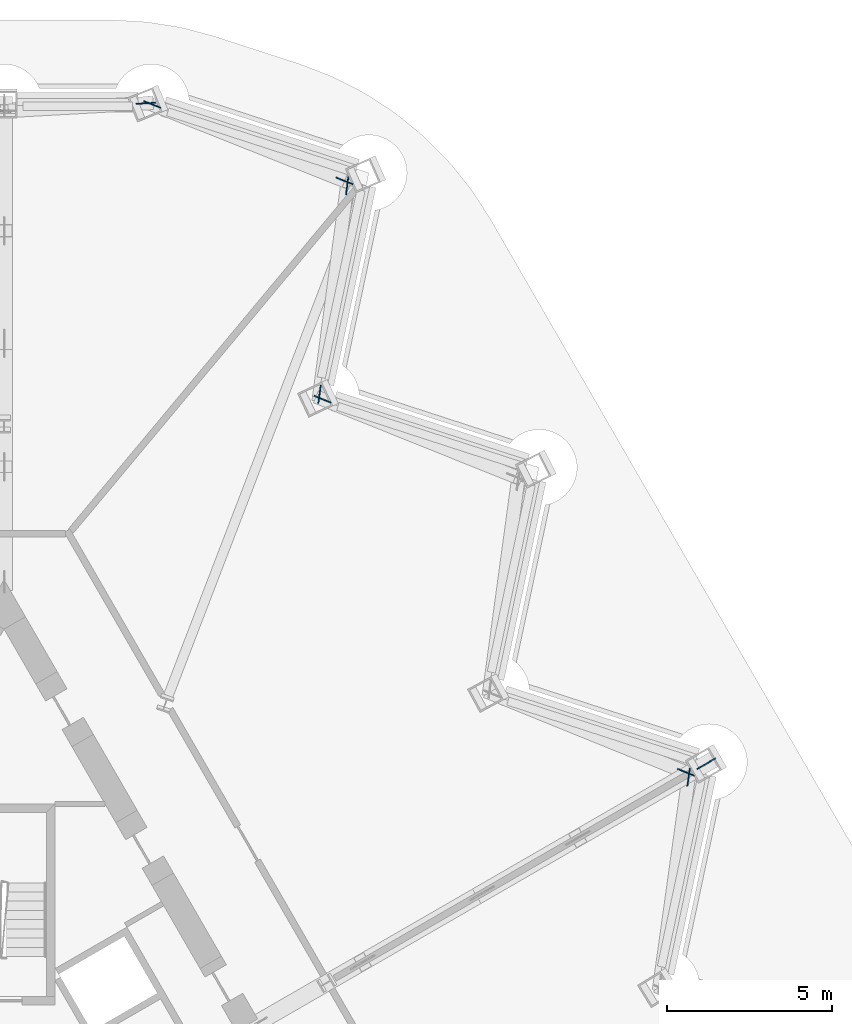
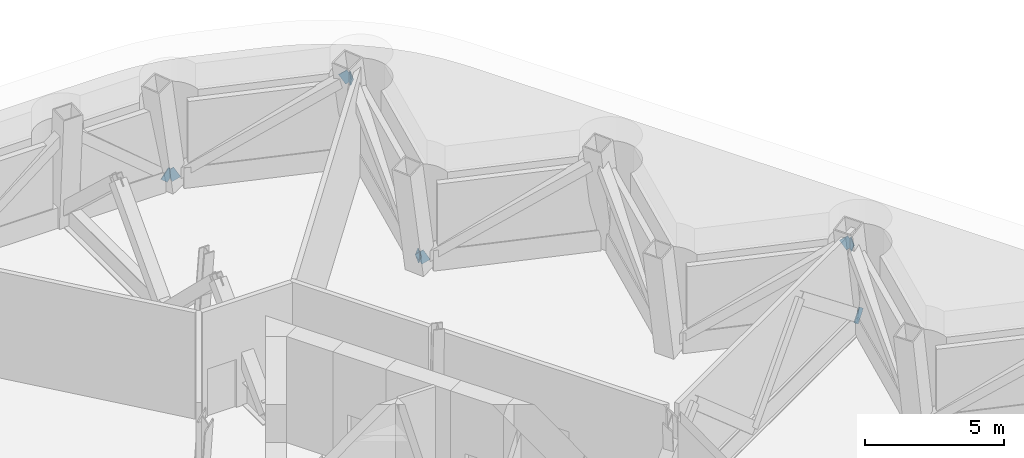
# One storey, part 11 of 13: 9 discrete accessories.
"""IFC4 building model written with IfcOpenShell, lengths in metres."""

import ifcopenshell
import ifcopenshell.guid

model = None  # the IFC model being written
_history = None  # IfcOwnerHistory: only IFC2X3 demands one
_inside = {}  # id of a spatial element -> (the spatial element, [elements in it])
_under = {}  # id of a project, library or spatial element -> (it, [spatial elements below it])
_declared = {}  # id of a project -> (the project, [libraries it declares])
_typed = {}  # id of a type object -> (the type object, [elements of that type])
_made_of = {}  # id of a material, layer set ... -> (it, [elements and type objects made of it])


def new_model(schema):
    """Start an empty IFC model of exactly this schema.

    Asked for "IFC4X3", IfcOpenShell would pick the latest addendum, in which some entities
    have other attributes; the version numbers below select the first issue.
    IFC2X3 requires an IfcOwnerHistory on every rooted entity: one is made here for all.
    """
    global model, _history
    if schema == "IFC4X3":
        model = ifcopenshell.file(schema_version=(4, 3, 0, 0))
    else:
        model = ifcopenshell.file(schema=schema)
    _inside.clear()
    _under.clear()
    _declared.clear()
    _typed.clear()
    _made_of.clear()
    _history = None
    if model.schema == "IFC2X3":
        org = make("IfcOrganization", Name="unknown")
        user = make(
            "IfcPersonAndOrganization",
            ThePerson=make("IfcPerson", FamilyName="unknown"),
            TheOrganization=org,
        )
        app = make(
            "IfcApplication",
            ApplicationDeveloper=org,
            Version="unknown",
            ApplicationFullName="unknown",
            ApplicationIdentifier="unknown",
        )
        _history = make(
            "IfcOwnerHistory",
            OwningUser=user,
            OwningApplication=app,
            ChangeAction="ADDED",
            CreationDate=0,
        )
    return model


def make(cls, **values):
    """One entity of the class cls with the attributes given. An attribute that is None is left unset."""
    return model.create_entity(
        cls, **{name: value for name, value in values.items() if value is not None}
    )


def rooted(cls, **values):
    """An entity with a GlobalId (a new one), such as an element, a storey or a relation."""
    return make(cls, GlobalId=ifcopenshell.guid.new(), OwnerHistory=_history, **values)


def si_unit(unit_type, name, prefix=None):
    """IfcSIUnit, for example si_unit("LENGTHUNIT", "METRE", prefix="MILLI")."""
    return make("IfcSIUnit", UnitType=unit_type, Prefix=prefix, Name=name)


def assignment(units):
    """IfcUnitAssignment: the units of a project."""
    return None if units is None else make("IfcUnitAssignment", Units=units)


def point(xyz):
    """IfcCartesianPoint."""
    return None if xyz is None else make("IfcCartesianPoint", Coordinates=xyz)


def direction(xyz):
    """IfcDirection."""
    return None if xyz is None else make("IfcDirection", DirectionRatios=xyz)


def frame(location, z_axis=None, x_axis=None):
    """IfcAxis2Placement3D, a coordinate frame: its origin and axes. An axis left out is left unset."""
    return make(
        "IfcAxis2Placement3D",
        Location=point(location),
        Axis=direction(z_axis),
        RefDirection=direction(x_axis),
    )


def frame_2d(location, x_axis=None):
    """IfcAxis2Placement2D, a coordinate frame in the plane: its origin and x axis."""
    return make(
        "IfcAxis2Placement2D", Location=point(location), RefDirection=direction(x_axis)
    )


def origin():
    """The frame at (0, 0, 0) with its axes left unset."""
    return frame((0.0, 0.0, 0.0))


def origin_2d():
    """The frame at (0, 0) in the plane with its x axis left unset."""
    return frame_2d((0.0, 0.0))


def place(relative_to, where):
    """IfcLocalPlacement: puts the frame where relative to a parent placement (None: the world)."""
    return make(
        "IfcLocalPlacement", PlacementRelTo=relative_to, RelativePlacement=where
    )


def context(
    kind, dimensions, precision=None, world=None, true_north=None, identifier=None
):
    """IfcGeometricRepresentationContext, for example the 3D "Model" context."""
    return make(
        "IfcGeometricRepresentationContext",
        ContextIdentifier=identifier,
        ContextType=kind,
        CoordinateSpaceDimension=dimensions,
        Precision=precision,
        WorldCoordinateSystem=world,
        TrueNorth=true_north,
    )


def subcontext(parent, identifier, kind, view, scale=None):
    """IfcGeometricRepresentationSubContext, for example "Body" below "Model"."""
    return make(
        "IfcGeometricRepresentationSubContext",
        ContextIdentifier=identifier,
        ContextType=kind,
        ParentContext=parent,
        TargetScale=scale,
        TargetView=view,
    )


def project(units=None, contexts=None):
    """IfcProject with its units and contexts."""
    return rooted(
        "IfcProject",
        Name="project",
        RepresentationContexts=contexts,
        UnitsInContext=assignment(units),
    )


def spatial(cls, under=None, at=None, **own):
    """A site, building, storey or space (cls), placed at a placement, below another one or the project."""
    s = rooted(cls, ObjectPlacement=at, **own)
    if under is not None:
        _under.setdefault(under.id(), (under, []))[1].append(s)
    return s


def profile(cls, at=None, kind="AREA", **sizes):
    """A parametric profile (cls). Its sizes go by their IFC names, for example OverallWidth=200.0."""
    return make(cls, ProfileType=kind, Position=at, **sizes)


def rectangle(**sizes):
    """IfcRectangleProfileDef."""
    return profile("IfcRectangleProfileDef", **sizes)


def extrude(swept, where, along, depth):
    """IfcExtrudedAreaSolid: the profile swept, set in the frame where, extruded along a direction by depth."""
    return make(
        "IfcExtrudedAreaSolid",
        SweptArea=swept,
        Position=where,
        ExtrudedDirection=direction(along),
        Depth=depth,
    )


def shape(context_of_items, identifier, shape_type, items):
    """IfcShapeRepresentation: the items that make up one representation, for example the "Body"."""
    return make(
        "IfcShapeRepresentation",
        ContextOfItems=context_of_items,
        RepresentationIdentifier=identifier,
        RepresentationType=shape_type,
        Items=items,
    )


def material(Name=None, Category=None):
    """IfcMaterial."""
    return make("IfcMaterial", Name=Name, Category=Category)


def material_profile(
    of_material, cross_section, Name=None, Category=None, Priority=None
):
    """IfcMaterialProfile: a cross section and its material."""
    return make(
        "IfcMaterialProfile",
        Name=Name,
        Material=of_material,
        Profile=cross_section,
        Priority=Priority,
        Category=Category,
    )


def profile_set(profiles, Name=None, composite=None):
    """IfcMaterialProfileSet."""
    return make(
        "IfcMaterialProfileSet",
        Name=Name,
        MaterialProfiles=profiles,
        CompositeProfile=composite,
    )


def made_of(thing, what):
    """Note that an element or type object is made of a material, layer set ...; save() writes the relation."""
    if what is not None:
        _made_of.setdefault(what.id(), (what, []))[1].append(thing)
    return thing


def type_object(cls, material=None, **own):
    """A type object (cls), such as IfcWallType, which elements share."""
    return made_of(rooted(cls, **own), material)


def element(
    cls,
    number,
    at=None,
    inside=None,
    cuts=None,
    type_object=None,
    material=None,
    context=None,
    identifier="Body",
    shape_type=None,
    held_by="IfcProductDefinitionShape",
    body=None,
    shapes=None,
    **own,
):
    """One element of the class cls, such as IfcWall. Its Tag is "e" and its number.

    at: its placement. inside: the storey or other place that contains it. cuts: it is an
    opening in that element (IfcRelVoidsElement). A single representation is given by context,
    identifier, shape_type and body (its items); several are given by shapes. held_by: the class
    of the entity that holds the representations. save() writes the other relations.
    """
    e = rooted(cls, Tag="e%d" % number, ObjectPlacement=at, **own)
    if body is not None:
        shapes = [shape(context, identifier, shape_type, body)]
    if shapes is not None:
        e.Representation = make(held_by, Representations=shapes)
    if inside is not None:
        _inside.setdefault(inside.id(), (inside, []))[1].append(e)
    if cuts is not None:
        rooted(
            "IfcRelVoidsElement", RelatingBuildingElement=cuts, RelatedOpeningElement=e
        )
    if type_object is not None:
        _typed.setdefault(type_object.id(), (type_object, []))[1].append(e)
    return made_of(e, material)


def aggregate(whole, parts):
    """IfcRelAggregates: a whole, such as a stair, and the parts it consists of."""
    return rooted("IfcRelAggregates", RelatingObject=whole, RelatedObjects=parts)


def save(model, path):
    """Write the relations noted so far, then the file.

    IfcRelAggregates (storeys below a building ...), IfcRelContainedInSpatialStructure (elements
    in a storey), IfcRelDefinesByType, IfcRelAssociatesMaterial and IfcRelDeclares: one each for
    every whole, place, type object, material and project.
    """
    for whole, parts in _under.values():
        aggregate(whole, parts)
    for where, things in _inside.values():
        rooted(
            "IfcRelContainedInSpatialStructure",
            RelatedElements=things,
            RelatingStructure=where,
        )
    for kind, things in _typed.values():
        rooted("IfcRelDefinesByType", RelatedObjects=things, RelatingType=kind)
    for what, things in _made_of.values():
        rooted("IfcRelAssociatesMaterial", RelatedObjects=things, RelatingMaterial=what)
    for by, libraries in _declared.values():
        rooted("IfcRelDeclares", RelatingContext=by, RelatedDefinitions=libraries)
    model.write(path)


model = new_model("IFC4")

# Units and contexts
model_context = context("Model", 3, precision=1e-05, world=origin(), true_north=direction((0.0, 1.0)))
body_context = subcontext(model_context, "Body", "Model", "MODEL_VIEW")
ifc_project = project(units=[si_unit("LENGTHUNIT", "METRE"), si_unit("AREAUNIT", "SQUARE_METRE"), si_unit("VOLUMEUNIT", "CUBIC_METRE"), si_unit("PLANEANGLEUNIT", "RADIAN"), si_unit("MASSUNIT", "GRAM", prefix="KILO")], contexts=[model_context])

# Site, building, storey
site_placement = place(None, origin())
site = spatial("IfcSite", under=ifc_project, at=site_placement, CompositionType="ELEMENT")
building_placement = place(site_placement, origin())
building = spatial("IfcBuilding", under=site, at=building_placement, Name="Cormorant Prow Tower", CompositionType="ELEMENT")
storey_placement = place(building_placement, frame((0.0, 0.0, 226.0)))
storey = spatial("IfcBuildingStorey", under=building, at=storey_placement, Name="L49", CompositionType="ELEMENT", Elevation=226.0)

# Discrete accessories
ifc_material_1 = material(Name="Structural steel ASTM A500 Gr C", Category="steel")
ifc_material_profile_1 = material_profile(ifc_material_1, rectangle(XDim=0.031982421875, YDim=0.506103515625, at=origin_2d()), Name="Gusset plate 32x506")
ifc_profile_set_1 = profile_set([ifc_material_profile_1], Name="Structural steel ASTM A500 Gr C")
discrete_accessory_type_1 = type_object("IfcDiscreteAccessoryType", Name="Gusset plate 32x506", PredefinedType="BRACKET", material=ifc_profile_set_1)
discrete_accessory_1_placement = place(storey_placement, frame((20.766357421875, 11.75244140625, 4.051025390625), z_axis=(0.120002699929, 0.859554222746, 0.496755362496), x_axis=(-0.990394657422, 0.138269383991, 0.0)))
element("IfcDiscreteAccessory", 1, at=discrete_accessory_1_placement, inside=storey, type_object=discrete_accessory_type_1, Name="Gusset plate GP2 L49.ENE04.g1", PredefinedType="BRACKET", context=body_context, shape_type="SweptSolid", body=[
    extrude(rectangle(XDim=0.031982421875, YDim=0.506103515625, at=origin_2d()), origin(), (0.0, 0.0, 1.0), 0.349853515625),
])
for number, where, z_axis, x_axis, name in (
    (2, (20.56103515625, 12.108154296875, 4.051025390625), (0.804236095518, -0.326437547877, 0.496631483095), (0.376096804868, 0.926580376097, 0.0), "Gusset plate GP2 L49.ENE05.g1"),
    (3, (9.806640625, 23.323974609375, 0.599609375), (-0.80430927561, 0.322979353519, -0.498769412022), (-0.372639224354, -0.927976297366, 0.0), "Gusset plate GP2 L49.ENE07.g0"),
    (4, (9.599609375, 23.6796875, 0.59814453125), (-0.114379317865, -0.862029493179, -0.493783884442), (0.991311755983, -0.131533275066, 0.0), "Gusset plate GP2 L49.ENE08.g0"),
):
    element("IfcDiscreteAccessory", number, at=place(storey_placement, frame(where, z_axis=z_axis, x_axis=x_axis)), inside=storey, type_object=discrete_accessory_type_1, Name=name, PredefinedType="BRACKET", context=body_context, shape_type="SweptSolid", body=[
        extrude(rectangle(XDim=0.031982421875, YDim=0.506103515625, at=origin_2d()), origin(), (0.0, 0.0, 1.0), 0.35009765625),
    ])
discrete_accessory_2_placement = place(storey_placement, frame((10.399169921875, 29.711181640625, 4.052001953125), z_axis=(0.114418700567, 0.862326304276, 0.493256227446), x_axis=(-0.991311755983, 0.131533275066, 0.0)))
element("IfcDiscreteAccessory", 5, at=discrete_accessory_2_placement, inside=storey, type_object=discrete_accessory_type_1, Name="Gusset plate GP2 L49.ENE08.g1", PredefinedType="BRACKET", context=body_context, shape_type="SweptSolid", body=[
    extrude(rectangle(XDim=0.031982421875, YDim=0.506103515625, at=origin_2d()), origin(), (0.0, 0.0, 1.0), 0.349853515625),
])
for number, where, z_axis, x_axis, name in (
    (6, (4.639892578125, 32.274169921875, 0.60009765625), (-0.804716544339, 0.320073564863, -0.499984196093), (-0.369585223823, -0.929196837237, 0.0), "Gusset plate GP2 L49.ENE09.g0"),
    (7, (10.19189453125, 30.06591796875, 4.050048828125), (0.804716544339, -0.320073564863, 0.499984196093), (0.369585223823, 0.929196837237, 0.0), "Gusset plate GP2 L49.ENE09.g1"),
    (8, (4.17041015625, 32.357421875, 0.64453125), (0.760044125677, 0.04253457951, -0.648478015486), (-0.055875872576, 0.998437723077, 0.0), "Gusset plate GP2 L49.N00.g0"),
):
    element("IfcDiscreteAccessory", number, at=place(storey_placement, frame(where, z_axis=z_axis, x_axis=x_axis)), inside=storey, type_object=discrete_accessory_type_1, Name=name, PredefinedType="BRACKET", context=body_context, shape_type="SweptSolid", body=[
        extrude(rectangle(XDim=0.031982421875, YDim=0.506103515625, at=origin_2d()), origin(), (0.0, 0.0, 1.0), 0.35009765625),
    ])
ifc_material_2 = material(Name="Structural steel ASTM A500 Gr C", Category="steel")
ifc_material_profile_2 = material_profile(ifc_material_2, rectangle(XDim=0.031982421875, YDim=0.60791015625, at=origin_2d()), Name="Gusset plate 32x608")
ifc_profile_set_2 = profile_set([ifc_material_profile_2], Name="Structural steel ASTM A500 Gr C")
discrete_accessory_type_2 = type_object("IfcDiscreteAccessoryType", Name="Gusset plate 32x608", PredefinedType="BRACKET", material=ifc_profile_set_2)
discrete_accessory_3_placement = place(storey_placement, frame((21.205810546875, 12.2431640625, 0.6865234375), z_axis=(0.678505450238, 0.391901400857, -0.621324107052), x_axis=(-0.500158975434, 0.865933599817, 0.0)))
element("IfcDiscreteAccessory", 9, at=discrete_accessory_3_placement, inside=storey, type_object=discrete_accessory_type_2, Name="Gusset plate GP1 L49.11.4.g1", PredefinedType="BRACKET", context=body_context, shape_type="SweptSolid", body=[
    extrude(rectangle(XDim=0.031982421875, YDim=0.60791015625, at=origin_2d()), origin(), (0.0, 0.0, 1.0), 0.35009765625),
])

save(model, "model.ifc")
